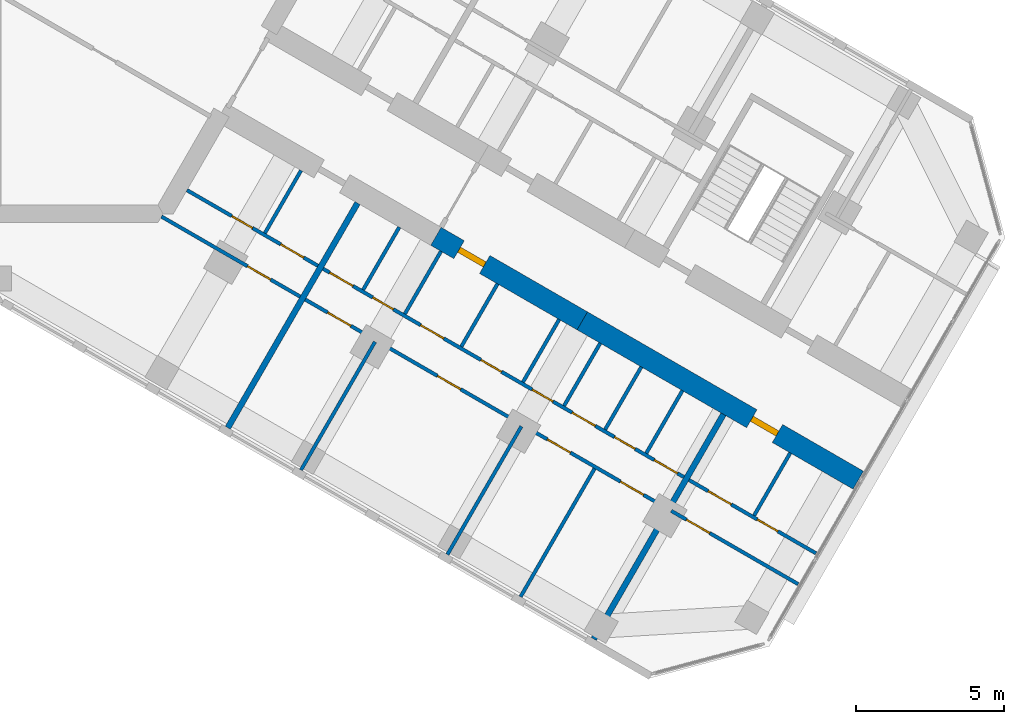
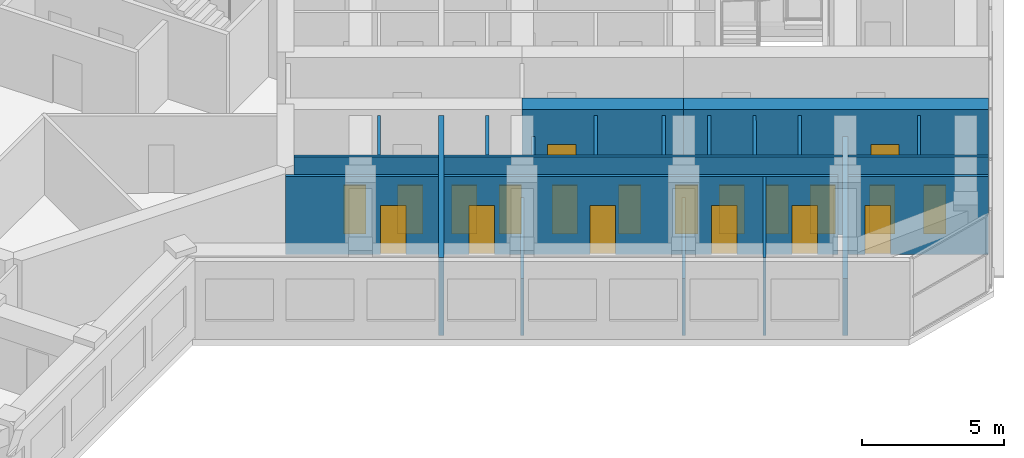
# One storey, part 11 of 16: 22 walls, 20 doors, 20 openings.
"""IFC4 building model written with IfcOpenShell, lengths in metres."""

from ifc_helpers import new_model, si_unit, direction, frame, frame_2d, origin, place, context, subcontext, project, spatial, rectangle, extrude, material, layer, layer_set, type_object, element, fill, save


model = new_model("IFC4")

# Units and contexts
model_context = context("Model", 3, precision=1e-05, world=origin(), true_north=direction((0.0, 1.0)))
body_context = subcontext(model_context, "Body", "Model", "MODEL_VIEW")
ifc_project = project(units=[si_unit("LENGTHUNIT", "METRE"), si_unit("AREAUNIT", "SQUARE_METRE"), si_unit("VOLUMEUNIT", "CUBIC_METRE"), si_unit("PLANEANGLEUNIT", "RADIAN"), si_unit("MASSUNIT", "GRAM", prefix="KILO")], contexts=[model_context])

# Site, building, storey
site_placement = place(None, origin())
site = spatial("IfcSite", under=ifc_project, at=site_placement, CompositionType="ELEMENT")
building_placement = place(site_placement, origin())
building = spatial("IfcBuilding", under=site, at=building_placement, Name="Kosmar Iwan School Tower", CompositionType="ELEMENT")
storey_placement = place(building_placement, frame((0.0, 0.0, 246.0)))
storey = spatial("IfcBuildingStorey", under=building, at=storey_placement, Name="L62", CompositionType="ELEMENT", Elevation=246.0)

# Wall, opening, door
ifc_material_1 = material(Name="Concrete C50/60", Category="concrete")
ifc_layer_1 = layer(ifc_material_1, 0.699951171875)
ifc_layer_set_1 = layer_set([ifc_layer_1], Name="Corridor buttress wall 700")
wall_type_1 = type_object("IfcWallType", Name="Corridor buttress wall 700", PredefinedType="SHEAR", material=ifc_layer_set_1)
wall_1_placement = place(storey_placement, frame((14.7451171875, -10.360595703125, 0.0), z_axis=(0.0, 0.0, 1.0), x_axis=(0.866015111908, -0.50001782563, 0.0)))
wall_1 = element("IfcWall", 1, at=wall_1_placement, inside=storey, type_object=wall_type_1, Name="Corridor wall CR bay 2", PredefinedType="SHEAR", context=body_context, shape_type="SweptSolid", body=[
    extrude(rectangle(XDim=5.699951171875, YDim=0.699951171875, at=frame_2d((2.85009765625, 0.0))), origin(), (0.0, 0.0, 1.0), 3.60009765625),
])
opening_1_placement = place(wall_1_placement, frame((0.89990234375, 0.0, 0.0)))
opening_1 = element("IfcOpeningElement", 2, at=opening_1_placement, cuts=wall_1, Name="Opening D1", PredefinedType="OPENING", context=body_context, shape_type="SweptSolid", body=[
    extrude(rectangle(XDim=1.0, YDim=2.10009765625, at=frame_2d((0.5, 1.050048828125))), frame((0.0, 0.362060546875, 0.0), z_axis=(0.0, -1.0, 0.0), x_axis=(1.0, 0.0, 0.0)), (0.0, 0.0, 1.0), 0.723876953125),
])
ifc_material_2 = material(Name="Timber fire door in steel frame", Category="steel")
door_type_1 = type_object("IfcDoorType", Name="Flat entrance door 1000x2100", OperationType="SINGLE_SWING_LEFT", PredefinedType="DOOR", material=ifc_material_2)
door_1_placement = place(opening_1_placement, origin())
door_1 = element("IfcDoor", 3, at=door_1_placement, inside=storey, type_object=door_type_1, Name="Flat L62-CR2 entrance door", OperationType="SINGLE_SWING_LEFT", OverallHeight=2.10009765625, OverallWidth=1.0, PredefinedType="DOOR", context=body_context, shape_type="SweptSolid", body=[
    extrude(rectangle(XDim=1.0, YDim=2.10009765625, at=frame_2d((0.5, 1.050048828125))), frame((0.0, 0.10009765625, 0.0), z_axis=(0.0, -1.0, 0.0), x_axis=(1.0, 0.0, 0.0)), (0.0, 0.0, 1.0), 0.199951171875),
])
fill(opening_1, door_1)

wall_2_placement = place(storey_placement, frame((19.681396484375, -13.210693359375, 0.0), z_axis=(0.0, 0.0, 1.0), x_axis=(0.866028186671, -0.499995179869, 0.0)))
wall_2 = element("IfcWall", 4, at=wall_2_placement, inside=storey, type_object=wall_type_1, Name="Corridor wall CR bay 3", PredefinedType="SHEAR", context=body_context, shape_type="SweptSolid", body=[
    extrude(rectangle(XDim=10.7451171875, YDim=0.699951171875, at=frame_2d((5.37255859375, 0.0))), origin(), (0.0, 0.0, 1.0), 3.60009765625),
])
opening_2_placement = place(wall_2_placement, frame((6.60009765625, 0.0, 0.0)))
opening_2 = element("IfcOpeningElement", 5, at=opening_2_placement, cuts=wall_2, Name="Opening D1", PredefinedType="OPENING", context=body_context, shape_type="SweptSolid", body=[
    extrude(rectangle(XDim=1.0, YDim=2.10009765625, at=frame_2d((0.5, 1.050048828125))), frame((0.0, 0.362060546875, 0.0), z_axis=(0.0, -1.0, 0.0), x_axis=(1.0, 0.0, 0.0)), (0.0, 0.0, 1.0), 0.723876953125),
])
door_2_placement = place(opening_2_placement, origin())
door_2 = element("IfcDoor", 6, at=door_2_placement, inside=storey, type_object=door_type_1, Name="Flat L62-CR3 entrance door", OperationType="SINGLE_SWING_RIGHT", OverallHeight=2.10009765625, OverallWidth=1.0, PredefinedType="DOOR", context=body_context, shape_type="SweptSolid", body=[
    extrude(rectangle(XDim=1.0, YDim=2.10009765625, at=frame_2d((0.5, 1.050048828125))), frame((0.0, 0.10009765625, 0.0), z_axis=(0.0, -1.0, 0.0), x_axis=(1.0, 0.0, 0.0)), (0.0, 0.0, 1.0), 0.199951171875),
])
fill(opening_2, door_2)

# Wall, openings, doors
ifc_material_3 = material(Name="Gypsum board on steel studs", Category="steel")
ifc_layer_2 = layer(ifc_material_3, 0.1201171875)
ifc_layer_set_2 = layer_set([ifc_layer_2], Name="Dwelling partition 120")
wall_type_2 = type_object("IfcWallType", Name="Dwelling partition 120", PredefinedType="PARTITIONING", material=ifc_layer_set_2)
wall_3_placement = place(storey_placement, frame((6.3486328125, -8.8037109375, 0.0), z_axis=(0.0, 0.0, 1.0), x_axis=(0.86602216432, -0.500005610874, 0.0)))
wall_3 = element("IfcWall", 7, at=wall_3_placement, inside=storey, type_object=wall_type_2, Name="Partition L62-CR1-W1", PredefinedType="PARTITIONING", context=body_context, shape_type="SweptSolid", body=[
    extrude(rectangle(XDim=5.10009765625, YDim=0.1201171875, at=frame_2d((2.550048828125, 0.0))), origin(), (0.0, 0.0, 1.0), 3.35009765625),
])
opening_3_placement = place(wall_3_placement, frame((1.75, 0.0, 0.0)))
opening_3 = element("IfcOpeningElement", 8, at=opening_3_placement, cuts=wall_3, Name="Opening D3", PredefinedType="OPENING", context=body_context, shape_type="SweptSolid", body=[
    extrude(rectangle(XDim=0.800048828125, YDim=2.10009765625, at=frame_2d((0.39990234375, 1.050048828125))), frame((0.0, 0.072021484375, 0.0), z_axis=(0.0, -1.0, 0.0), x_axis=(1.0, 0.0, 0.0)), (0.0, 0.0, 1.0), 0.14404296875),
])
opening_4_placement = place(wall_3_placement, frame((3.64990234375, 0.0, 0.0)))
opening_4 = element("IfcOpeningElement", 9, at=opening_4_placement, cuts=wall_3, Name="Opening D2", PredefinedType="OPENING", context=body_context, shape_type="SweptSolid", body=[
    extrude(rectangle(XDim=0.89990234375, YDim=2.10009765625, at=frame_2d((0.449951171875, 1.050048828125))), frame((0.0, 0.072021484375, 0.0), z_axis=(0.0, -1.0, 0.0), x_axis=(1.0, 0.0, 0.0)), (0.0, 0.0, 1.0), 0.14404296875),
])
ifc_material_4 = material(Name="Timber door in timber frame", Category="wood")
door_type_2 = type_object("IfcDoorType", Name="Internal door 900x2100", OperationType="SINGLE_SWING_LEFT", PredefinedType="DOOR", material=ifc_material_4)
door_3_placement = place(opening_4_placement, origin())
door_3 = element("IfcDoor", 10, at=door_3_placement, inside=storey, type_object=door_type_2, Name="Entrance hall door L62-CR1-S2", OperationType="SINGLE_SWING_RIGHT", OverallHeight=2.10009765625, OverallWidth=0.89990234375, PredefinedType="DOOR", context=body_context, shape_type="SweptSolid", body=[
    extrude(rectangle(XDim=0.89990234375, YDim=2.10009765625, at=frame_2d((0.449951171875, 1.050048828125))), frame((0.0, 0.02490234375, 0.0), z_axis=(0.0, -1.0, 0.0), x_axis=(1.0, 0.0, 0.0)), (0.0, 0.0, 1.0), 0.050048828125),
])
fill(opening_4, door_3)
ifc_material_5 = material(Name="Timber door in timber frame", Category="wood")
door_type_3 = type_object("IfcDoorType", Name="Sanitary room door 800x2100", OperationType="SINGLE_SWING_LEFT", PredefinedType="DOOR", material=ifc_material_5)
door_4_placement = place(opening_3_placement, origin())
door_4 = element("IfcDoor", 11, at=door_4_placement, inside=storey, type_object=door_type_3, Name="Bathroom door L62-CR1-S1", OperationType="SINGLE_SWING_RIGHT", OverallHeight=2.10009765625, OverallWidth=0.800048828125, PredefinedType="DOOR", context=body_context, shape_type="SweptSolid", body=[
    extrude(rectangle(XDim=0.800048828125, YDim=2.10009765625, at=frame_2d((0.39990234375, 1.050048828125))), frame((0.0, 0.02490234375, 0.0), z_axis=(0.0, -1.0, 0.0), x_axis=(1.0, 0.0, 0.0)), (0.0, 0.0, 1.0), 0.050048828125),
])
fill(opening_3, door_4)

# Wall, opening, door
wall_4_placement = place(storey_placement, frame((5.48876953125, -9.693115234375, 0.0), z_axis=(0.0, 0.0, 1.0), x_axis=(0.866028230842, -0.499995103361, 0.0)))
wall_4 = element("IfcWall", 12, at=wall_4_placement, inside=storey, type_object=wall_type_2, Name="Partition L62-CR1-W2", PredefinedType="PARTITIONING", context=body_context, shape_type="SweptSolid", body=[
    extrude(rectangle(XDim=5.39990234375, YDim=0.1201171875, at=frame_2d((2.699951171875, 0.0))), origin(), (0.0, 0.0, 1.0), 3.35009765625),
])
opening_5_placement = place(wall_4_placement, frame((3.35009765625, 0.0, 0.0)))
opening_5 = element("IfcOpeningElement", 13, at=opening_5_placement, cuts=wall_4, Name="Opening D2", PredefinedType="OPENING", context=body_context, shape_type="SweptSolid", body=[
    extrude(rectangle(XDim=0.89990234375, YDim=2.10009765625, at=frame_2d((0.449951171875, 1.050048828125))), frame((0.0, 0.072021484375, 0.0), z_axis=(0.0, -1.0, 0.0), x_axis=(1.0, 0.0, 0.0)), (0.0, 0.0, 1.0), 0.14404296875),
])
door_5_placement = place(opening_5_placement, origin())
door_5 = element("IfcDoor", 14, at=door_5_placement, inside=storey, type_object=door_type_2, Name="Studio living room and kitchen door L62-CR1-F1", OperationType="SINGLE_SWING_RIGHT", OverallHeight=2.10009765625, OverallWidth=0.89990234375, PredefinedType="DOOR", context=body_context, shape_type="SweptSolid", body=[
    extrude(rectangle(XDim=0.89990234375, YDim=2.10009765625, at=frame_2d((0.449951171875, 1.050048828125))), frame((0.0, 0.02490234375, 0.0), z_axis=(0.0, -1.0, 0.0), x_axis=(1.0, 0.0, 0.0)), (0.0, 0.0, 1.0), 0.050048828125),
])
fill(opening_5, door_5)

# Wall
wall_5_placement = place(storey_placement, frame((10.19677734375, -8.138671875, 0.0), z_axis=(0.0, 0.0, 1.0), x_axis=(-0.499959183527, -0.866048967903, 0.0)))
element("IfcWall", 15, at=wall_5_placement, inside=storey, type_object=wall_type_2, Name="Partition L62-CR1-Y1", PredefinedType="PARTITIONING", context=body_context, shape_type="SweptSolid", body=[
    extrude(rectangle(XDim=2.440185546875, YDim=0.1201171875, at=frame_2d((1.22021484375, 0.0))), origin(), (0.0, 0.0, 1.0), 3.35009765625),
])

# Wall, openings, doors
wall_6_placement = place(storey_placement, frame((10.9384765625, -11.453857421875, 0.0), z_axis=(0.0, 0.0, 1.0), x_axis=(0.86602961784, -0.499992700971, 0.0)))
wall_6 = element("IfcWall", 16, at=wall_6_placement, inside=storey, type_object=wall_type_2, Name="Partition L62-CR2-W1", PredefinedType="PARTITIONING", context=body_context, shape_type="SweptSolid", body=[
    extrude(rectangle(XDim=14.050048828125, YDim=0.1201171875, at=frame_2d((7.02490234375, 0.0))), origin(), (0.0, 0.0, 1.0), 3.35009765625),
])
opening_6_placement = place(wall_6_placement, frame((0.262451171875, 0.0, 0.0)))
opening_6 = element("IfcOpeningElement", 17, at=opening_6_placement, cuts=wall_6, Name="Opening D2", PredefinedType="OPENING", context=body_context, shape_type="SweptSolid", body=[
    extrude(rectangle(XDim=0.89990234375, YDim=2.10009765625, at=frame_2d((0.449951171875, 1.050048828125))), frame((0.0, 0.072021484375, 0.0), z_axis=(0.0, -1.0, 0.0), x_axis=(1.0, 0.0, 0.0)), (0.0, 0.0, 1.0), 0.14404296875),
])
opening_7_placement = place(wall_6_placement, frame((1.9375, 0.0, 0.0)))
opening_7 = element("IfcOpeningElement", 18, at=opening_7_placement, cuts=wall_6, Name="Opening D3", PredefinedType="OPENING", context=body_context, shape_type="SweptSolid", body=[
    extrude(rectangle(XDim=0.800048828125, YDim=2.10009765625, at=frame_2d((0.39990234375, 1.050048828125))), frame((0.0, 0.072021484375, 0.0), z_axis=(0.0, -1.0, 0.0), x_axis=(1.0, 0.0, 0.0)), (0.0, 0.0, 1.0), 0.14404296875),
])
opening_8_placement = place(wall_6_placement, frame((3.800048828125, 0.0, 0.0)))
opening_8 = element("IfcOpeningElement", 19, at=opening_8_placement, cuts=wall_6, Name="Opening D2", PredefinedType="OPENING", context=body_context, shape_type="SweptSolid", body=[
    extrude(rectangle(XDim=0.89990234375, YDim=2.10009765625, at=frame_2d((0.449951171875, 1.050048828125))), frame((0.0, 0.072021484375, 0.0), z_axis=(0.0, -1.0, 0.0), x_axis=(1.0, 0.0, 0.0)), (0.0, 0.0, 1.0), 0.14404296875),
])
opening_9_placement = place(wall_6_placement, frame((6.14990234375, 0.0, 0.0)))
opening_9 = element("IfcOpeningElement", 20, at=opening_9_placement, cuts=wall_6, Name="Opening D3", PredefinedType="OPENING", context=body_context, shape_type="SweptSolid", body=[
    extrude(rectangle(XDim=0.800048828125, YDim=2.10009765625, at=frame_2d((0.39990234375, 1.050048828125))), frame((0.0, 0.072021484375, 0.0), z_axis=(0.0, -1.0, 0.0), x_axis=(1.0, 0.0, 0.0)), (0.0, 0.0, 1.0), 0.14404296875),
])
opening_10_placement = place(wall_6_placement, frame((8.14990234375, 0.0, 0.0)))
opening_10 = element("IfcOpeningElement", 21, at=opening_10_placement, cuts=wall_6, Name="Opening D3", PredefinedType="OPENING", context=body_context, shape_type="SweptSolid", body=[
    extrude(rectangle(XDim=0.800048828125, YDim=2.10009765625, at=frame_2d((0.39990234375, 1.050048828125))), frame((0.0, 0.072021484375, 0.0), z_axis=(0.0, -1.0, 0.0), x_axis=(1.0, 0.0, 0.0)), (0.0, 0.0, 1.0), 0.14404296875),
])
opening_11_placement = place(wall_6_placement, frame((9.699951171875, 0.0, 0.0)))
opening_11 = element("IfcOpeningElement", 22, at=opening_11_placement, cuts=wall_6, Name="Opening D2", PredefinedType="OPENING", context=body_context, shape_type="SweptSolid", body=[
    extrude(rectangle(XDim=0.89990234375, YDim=2.10009765625, at=frame_2d((0.449951171875, 1.050048828125))), frame((0.0, 0.072021484375, 0.0), z_axis=(0.0, -1.0, 0.0), x_axis=(1.0, 0.0, 0.0)), (0.0, 0.0, 1.0), 0.14404296875),
])
opening_12_placement = place(wall_6_placement, frame((11.35009765625, 0.0, 0.0)))
opening_12 = element("IfcOpeningElement", 23, at=opening_12_placement, cuts=wall_6, Name="Opening D3", PredefinedType="OPENING", context=body_context, shape_type="SweptSolid", body=[
    extrude(rectangle(XDim=0.800048828125, YDim=2.10009765625, at=frame_2d((0.39990234375, 1.050048828125))), frame((0.0, 0.072021484375, 0.0), z_axis=(0.0, -1.0, 0.0), x_axis=(1.0, 0.0, 0.0)), (0.0, 0.0, 1.0), 0.14404296875),
])
opening_13_placement = place(wall_6_placement, frame((12.89990234375, 0.0, 0.0)))
opening_13 = element("IfcOpeningElement", 24, at=opening_13_placement, cuts=wall_6, Name="Opening D2", PredefinedType="OPENING", context=body_context, shape_type="SweptSolid", body=[
    extrude(rectangle(XDim=0.89990234375, YDim=2.10009765625, at=frame_2d((0.449951171875, 1.050048828125))), frame((0.0, 0.072021484375, 0.0), z_axis=(0.0, -1.0, 0.0), x_axis=(1.0, 0.0, 0.0)), (0.0, 0.0, 1.0), 0.14404296875),
])
door_6_placement = place(opening_6_placement, origin())
door_6 = element("IfcDoor", 25, at=door_6_placement, inside=storey, type_object=door_type_2, Name="Utility room door L62-CR2-S1", OperationType="SINGLE_SWING_RIGHT", OverallHeight=2.10009765625, OverallWidth=0.89990234375, PredefinedType="DOOR", context=body_context, shape_type="SweptSolid", body=[
    extrude(rectangle(XDim=0.89990234375, YDim=2.10009765625, at=frame_2d((0.449951171875, 1.050048828125))), frame((0.0, 0.02490234375, 0.0), z_axis=(0.0, -1.0, 0.0), x_axis=(1.0, 0.0, 0.0)), (0.0, 0.0, 1.0), 0.050048828125),
])
fill(opening_6, door_6)
door_7_placement = place(opening_8_placement, origin())
door_7 = element("IfcDoor", 26, at=door_7_placement, inside=storey, type_object=door_type_2, Name="Entrance hall door L62-CR2-S3", OperationType="SINGLE_SWING_RIGHT", OverallHeight=2.10009765625, OverallWidth=0.89990234375, PredefinedType="DOOR", context=body_context, shape_type="SweptSolid", body=[
    extrude(rectangle(XDim=0.89990234375, YDim=2.10009765625, at=frame_2d((0.449951171875, 1.050048828125))), frame((0.0, 0.02490234375, 0.0), z_axis=(0.0, -1.0, 0.0), x_axis=(1.0, 0.0, 0.0)), (0.0, 0.0, 1.0), 0.050048828125),
])
fill(opening_8, door_7)
door_8_placement = place(opening_11_placement, origin())
door_8 = element("IfcDoor", 27, at=door_8_placement, inside=storey, type_object=door_type_2, Name="Pantry door L62-CR2-S6", OperationType="SINGLE_SWING_LEFT", OverallHeight=2.10009765625, OverallWidth=0.89990234375, PredefinedType="DOOR", context=body_context, shape_type="SweptSolid", body=[
    extrude(rectangle(XDim=0.89990234375, YDim=2.10009765625, at=frame_2d((0.449951171875, 1.050048828125))), frame((0.0, 0.02490234375, 0.0), z_axis=(0.0, -1.0, 0.0), x_axis=(1.0, 0.0, 0.0)), (0.0, 0.0, 1.0), 0.050048828125),
])
fill(opening_11, door_8)
door_9_placement = place(opening_13_placement, origin())
door_9 = element("IfcDoor", 28, at=door_9_placement, inside=storey, type_object=door_type_2, Name="Dressing room door L62-CR2-S8", OperationType="SINGLE_SWING_RIGHT", OverallHeight=2.10009765625, OverallWidth=0.89990234375, PredefinedType="DOOR", context=body_context, shape_type="SweptSolid", body=[
    extrude(rectangle(XDim=0.89990234375, YDim=2.10009765625, at=frame_2d((0.449951171875, 1.050048828125))), frame((0.0, 0.02490234375, 0.0), z_axis=(0.0, -1.0, 0.0), x_axis=(1.0, 0.0, 0.0)), (0.0, 0.0, 1.0), 0.050048828125),
])
fill(opening_13, door_9)
door_10_placement = place(opening_7_placement, origin())
door_10 = element("IfcDoor", 29, at=door_10_placement, inside=storey, type_object=door_type_3, Name="WC door L62-CR2-S2", OperationType="SINGLE_SWING_LEFT", OverallHeight=2.10009765625, OverallWidth=0.800048828125, PredefinedType="DOOR", context=body_context, shape_type="SweptSolid", body=[
    extrude(rectangle(XDim=0.800048828125, YDim=2.10009765625, at=frame_2d((0.39990234375, 1.050048828125))), frame((0.0, 0.02490234375, 0.0), z_axis=(0.0, -1.0, 0.0), x_axis=(1.0, 0.0, 0.0)), (0.0, 0.0, 1.0), 0.050048828125),
])
fill(opening_7, door_10)
door_11_placement = place(opening_9_placement, origin())
door_11 = element("IfcDoor", 30, at=door_11_placement, inside=storey, type_object=door_type_3, Name="Bathroom door L62-CR2-S4", OperationType="SINGLE_SWING_LEFT", OverallHeight=2.10009765625, OverallWidth=0.800048828125, PredefinedType="DOOR", context=body_context, shape_type="SweptSolid", body=[
    extrude(rectangle(XDim=0.800048828125, YDim=2.10009765625, at=frame_2d((0.39990234375, 1.050048828125))), frame((0.0, 0.02490234375, 0.0), z_axis=(0.0, -1.0, 0.0), x_axis=(1.0, 0.0, 0.0)), (0.0, 0.0, 1.0), 0.050048828125),
])
fill(opening_9, door_11)
door_12_placement = place(opening_10_placement, origin())
door_12 = element("IfcDoor", 31, at=door_12_placement, inside=storey, type_object=door_type_3, Name="Shower room door L62-CR2-S5", OperationType="SINGLE_SWING_RIGHT", OverallHeight=2.10009765625, OverallWidth=0.800048828125, PredefinedType="DOOR", context=body_context, shape_type="SweptSolid", body=[
    extrude(rectangle(XDim=0.800048828125, YDim=2.10009765625, at=frame_2d((0.39990234375, 1.050048828125))), frame((0.0, 0.02490234375, 0.0), z_axis=(0.0, -1.0, 0.0), x_axis=(1.0, 0.0, 0.0)), (0.0, 0.0, 1.0), 0.050048828125),
])
fill(opening_10, door_12)
door_13_placement = place(opening_12_placement, origin())
door_13 = element("IfcDoor", 32, at=door_13_placement, inside=storey, type_object=door_type_3, Name="Store door L62-CR2-S7", OperationType="SINGLE_SWING_RIGHT", OverallHeight=2.10009765625, OverallWidth=0.800048828125, PredefinedType="DOOR", context=body_context, shape_type="SweptSolid", body=[
    extrude(rectangle(XDim=0.800048828125, YDim=2.10009765625, at=frame_2d((0.39990234375, 1.050048828125))), frame((0.0, 0.02490234375, 0.0), z_axis=(0.0, -1.0, 0.0), x_axis=(1.0, 0.0, 0.0)), (0.0, 0.0, 1.0), 0.050048828125),
])
fill(opening_12, door_13)

wall_7_placement = place(storey_placement, frame((10.338623046875, -12.492919921875, 0.0), z_axis=(0.0, 0.0, 1.0), x_axis=(0.866016523273, -0.500015381182, 0.0)))
wall_7 = element("IfcWall", 33, at=wall_7_placement, inside=storey, type_object=wall_type_2, Name="Partition L62-CR2-W2", PredefinedType="PARTITIONING", context=body_context, shape_type="SweptSolid", body=[
    extrude(rectangle(XDim=13.89990234375, YDim=0.1201171875, at=frame_2d((6.949951171875, 0.0))), origin(), (0.0, 0.0, 1.0), 3.35009765625),
])
opening_14_placement = place(wall_7_placement, frame((0.875, 0.0, 0.0)))
opening_14 = element("IfcOpeningElement", 34, at=opening_14_placement, cuts=wall_7, Name="Opening D2", PredefinedType="OPENING", context=body_context, shape_type="SweptSolid", body=[
    extrude(rectangle(XDim=0.89990234375, YDim=2.10009765625, at=frame_2d((0.449951171875, 1.050048828125))), frame((0.0, 0.072021484375, 0.0), z_axis=(0.0, -1.0, 0.0), x_axis=(1.0, 0.0, 0.0)), (0.0, 0.0, 1.0), 0.14404296875),
])
opening_15_placement = place(wall_7_placement, frame((5.14990234375, 0.0, 0.0)))
opening_15 = element("IfcOpeningElement", 35, at=opening_15_placement, cuts=wall_7, Name="Opening D2", PredefinedType="OPENING", context=body_context, shape_type="SweptSolid", body=[
    extrude(rectangle(XDim=0.89990234375, YDim=2.10009765625, at=frame_2d((0.449951171875, 1.050048828125))), frame((0.0, 0.072021484375, 0.0), z_axis=(0.0, -1.0, 0.0), x_axis=(1.0, 0.0, 0.0)), (0.0, 0.0, 1.0), 0.14404296875),
])
opening_16_placement = place(wall_7_placement, frame((9.425048828125, 0.0, 0.0)))
opening_16 = element("IfcOpeningElement", 36, at=opening_16_placement, cuts=wall_7, Name="Opening D2", PredefinedType="OPENING", context=body_context, shape_type="SweptSolid", body=[
    extrude(rectangle(XDim=0.89990234375, YDim=2.10009765625, at=frame_2d((0.449951171875, 1.050048828125))), frame((0.0, 0.072021484375, 0.0), z_axis=(0.0, -1.0, 0.0), x_axis=(1.0, 0.0, 0.0)), (0.0, 0.0, 1.0), 0.14404296875),
])
opening_17_placement = place(wall_7_placement, frame((12.27490234375, 0.0, 0.0)))
opening_17 = element("IfcOpeningElement", 37, at=opening_17_placement, cuts=wall_7, Name="Opening D2", PredefinedType="OPENING", context=body_context, shape_type="SweptSolid", body=[
    extrude(rectangle(XDim=0.89990234375, YDim=2.10009765625, at=frame_2d((0.449951171875, 1.050048828125))), frame((0.0, 0.072021484375, 0.0), z_axis=(0.0, -1.0, 0.0), x_axis=(1.0, 0.0, 0.0)), (0.0, 0.0, 1.0), 0.14404296875),
])
door_14_placement = place(opening_14_placement, origin())
door_14 = element("IfcDoor", 38, at=door_14_placement, inside=storey, type_object=door_type_2, Name="Bedroom 1 door L62-CR2-F1", OperationType="SINGLE_SWING_LEFT", OverallHeight=2.10009765625, OverallWidth=0.89990234375, PredefinedType="DOOR", context=body_context, shape_type="SweptSolid", body=[
    extrude(rectangle(XDim=0.89990234375, YDim=2.10009765625, at=frame_2d((0.449951171875, 1.050048828125))), frame((0.0, 0.02490234375, 0.0), z_axis=(0.0, -1.0, 0.0), x_axis=(1.0, 0.0, 0.0)), (0.0, 0.0, 1.0), 0.050048828125),
])
fill(opening_14, door_14)
door_15_placement = place(opening_15_placement, origin())
door_15 = element("IfcDoor", 39, at=door_15_placement, inside=storey, type_object=door_type_2, Name="Living room and kitchen door L62-CR2-F2", OperationType="SINGLE_SWING_LEFT", OverallHeight=2.10009765625, OverallWidth=0.89990234375, PredefinedType="DOOR", context=body_context, shape_type="SweptSolid", body=[
    extrude(rectangle(XDim=0.89990234375, YDim=2.10009765625, at=frame_2d((0.449951171875, 1.050048828125))), frame((0.0, 0.02490234375, 0.0), z_axis=(0.0, -1.0, 0.0), x_axis=(1.0, 0.0, 0.0)), (0.0, 0.0, 1.0), 0.050048828125),
])
fill(opening_15, door_15)
door_16_placement = place(opening_16_placement, origin())
door_16 = element("IfcDoor", 40, at=door_16_placement, inside=storey, type_object=door_type_2, Name="Bedroom 3 door L62-CR2-F3", OperationType="SINGLE_SWING_RIGHT", OverallHeight=2.10009765625, OverallWidth=0.89990234375, PredefinedType="DOOR", context=body_context, shape_type="SweptSolid", body=[
    extrude(rectangle(XDim=0.89990234375, YDim=2.10009765625, at=frame_2d((0.449951171875, 1.050048828125))), frame((0.0, 0.02490234375, 0.0), z_axis=(0.0, -1.0, 0.0), x_axis=(1.0, 0.0, 0.0)), (0.0, 0.0, 1.0), 0.050048828125),
])
fill(opening_16, door_16)
door_17_placement = place(opening_17_placement, origin())
door_17 = element("IfcDoor", 41, at=door_17_placement, inside=storey, type_object=door_type_2, Name="Bedroom 2 door L62-CR2-F4", OperationType="SINGLE_SWING_RIGHT", OverallHeight=2.10009765625, OverallWidth=0.89990234375, PredefinedType="DOOR", context=body_context, shape_type="SweptSolid", body=[
    extrude(rectangle(XDim=0.89990234375, YDim=2.10009765625, at=frame_2d((0.449951171875, 1.050048828125))), frame((0.0, 0.02490234375, 0.0), z_axis=(0.0, -1.0, 0.0), x_axis=(1.0, 0.0, 0.0)), (0.0, 0.0, 1.0), 0.050048828125),
])
fill(opening_17, door_17)

# Walls
wall_8_placement = place(storey_placement, frame((12.690185546875, -13.919921875, 0.0), z_axis=(0.0, 0.0, 1.0), x_axis=(-0.500011847778, -0.866018563358, 0.0)))
element("IfcWall", 42, at=wall_8_placement, inside=storey, type_object=wall_type_2, Name="Partition L62-CR2-X1", PredefinedType="PARTITIONING", context=body_context, shape_type="SweptSolid", body=[
    extrude(rectangle(XDim=4.990234375, YDim=0.1201171875, at=frame_2d((2.4951171875, 0.0))), origin(), (0.0, 0.0, 1.0), 2.449951171875),
])
wall_9_placement = place(storey_placement, frame((17.62646484375, -16.77001953125, 0.0), z_axis=(0.0, 0.0, 1.0), x_axis=(-0.499975153383, -0.86603974851, 0.0)))
element("IfcWall", 43, at=wall_9_placement, inside=storey, type_object=wall_type_2, Name="Partition L62-CR2-X2", PredefinedType="PARTITIONING", context=body_context, shape_type="SweptSolid", body=[
    extrude(rectangle(XDim=4.989990234375, YDim=0.1201171875, at=frame_2d((2.4951171875, 0.0))), origin(), (0.0, 0.0, 1.0), 2.449951171875),
])
wall_10_placement = place(storey_placement, frame((20.0947265625, -18.195068359375, 0.0), z_axis=(0.0, 0.0, 1.0), x_axis=(-0.500011847778, -0.866018563358, 0.0)))
element("IfcWall", 44, at=wall_10_placement, inside=storey, type_object=wall_type_2, Name="Partition L62-CR2-X3", PredefinedType="PARTITIONING", context=body_context, shape_type="SweptSolid", body=[
    extrude(rectangle(XDim=4.990234375, YDim=0.1201171875, at=frame_2d((2.4951171875, 0.0))), origin(), (0.0, 0.0, 1.0), 3.35009765625),
])
wall_11_placement = place(storey_placement, frame((13.50927734375, -10.05126953125, 0.0), z_axis=(0.0, 0.0, 1.0), x_axis=(-0.500002508028, -0.866023955769, 0.0)))
element("IfcWall", 45, at=wall_11_placement, inside=storey, type_object=wall_type_2, Name="Partition L62-CR2-Y1", PredefinedType="PARTITIONING", context=body_context, shape_type="SweptSolid", body=[
    extrude(rectangle(XDim=2.43994140625, YDim=0.1201171875, at=frame_2d((1.219970703125, 0.0))), origin(), (0.0, 0.0, 1.0), 3.35009765625),
])
wall_12_placement = place(storey_placement, frame((14.91650390625, -10.86376953125, 0.0), z_axis=(0.0, 0.0, 1.0), x_axis=(-0.500002508028, -0.866023955769, 0.0)))
element("IfcWall", 46, at=wall_12_placement, inside=storey, type_object=wall_type_2, Name="Partition L62-CR2-Y2", PredefinedType="PARTITIONING", context=body_context, shape_type="SweptSolid", body=[
    extrude(rectangle(XDim=2.43994140625, YDim=0.1201171875, at=frame_2d((1.219970703125, 0.0))), origin(), (0.0, 0.0, 1.0), 2.449951171875),
])
wall_13_placement = place(storey_placement, frame((16.82177734375, -11.963623046875, 0.0), z_axis=(0.0, 0.0, 1.0), x_axis=(-0.499959183527, -0.866048967903, 0.0)))
element("IfcWall", 47, at=wall_13_placement, inside=storey, type_object=wall_type_2, Name="Partition L62-CR2-Y3", PredefinedType="PARTITIONING", context=body_context, shape_type="SweptSolid", body=[
    extrude(rectangle(XDim=2.440185546875, YDim=0.1201171875, at=frame_2d((1.22021484375, 0.0))), origin(), (0.0, 0.0, 1.0), 3.35009765625),
])
wall_14_placement = place(storey_placement, frame((18.900390625, -13.163818359375, 0.0), z_axis=(0.0, 0.0, 1.0), x_axis=(-0.500077547548, -0.865980627057, 0.0)))
element("IfcWall", 48, at=wall_14_placement, inside=storey, type_object=wall_type_2, Name="Partition L62-CR2-Y4", PredefinedType="PARTITIONING", context=body_context, shape_type="SweptSolid", body=[
    extrude(rectangle(XDim=2.43994140625, YDim=0.1201171875, at=frame_2d((1.219970703125, 0.0))), origin(), (0.0, 0.0, 1.0), 3.35009765625),
])
for number, where, z_axis, x_axis, name in (
    (49, (20.285888671875, -13.963623046875, 0.0), (0.0, 0.0, 1.0), (-0.499959183527, -0.866048967903, 0.0), "Partition L62-CR2-Y5"),
    (50, (21.671630859375, -14.763671875, 0.0), (0.0, 0.0, 1.0), (-0.499959183527, -0.866048967903, 0.0), "Partition L62-CR2-Y6"),
):
    element("IfcWall", number, at=place(storey_placement, frame(where, z_axis=z_axis, x_axis=x_axis)), inside=storey, type_object=wall_type_2, Name=name, PredefinedType="PARTITIONING", context=body_context, shape_type="SweptSolid", body=[
        extrude(rectangle(XDim=2.440185546875, YDim=0.1201171875, at=frame_2d((1.22021484375, 0.0))), origin(), (0.0, 0.0, 1.0), 3.35009765625),
    ])
wall_15_placement = place(storey_placement, frame((23.05712890625, -15.563720703125, 0.0), z_axis=(0.0, 0.0, 1.0), x_axis=(-0.500002508028, -0.866023955769, 0.0)))
element("IfcWall", 51, at=wall_15_placement, inside=storey, type_object=wall_type_2, Name="Partition L62-CR2-Y7", PredefinedType="PARTITIONING", context=body_context, shape_type="SweptSolid", body=[
    extrude(rectangle(XDim=2.43994140625, YDim=0.1201171875, at=frame_2d((1.219970703125, 0.0))), origin(), (0.0, 0.0, 1.0), 3.35009765625),
])

# Wall, openings, doors
wall_16_placement = place(storey_placement, frame((23.279541015625, -18.578857421875, 0.0), z_axis=(0.0, 0.0, 1.0), x_axis=(0.866031840221, -0.4999888516, 0.0)))
wall_16 = element("IfcWall", 52, at=wall_16_placement, inside=storey, type_object=wall_type_2, Name="Partition L62-CR3-W1", PredefinedType="PARTITIONING", context=body_context, shape_type="SweptSolid", body=[
    extrude(rectangle(XDim=4.94482421875, YDim=0.1201171875, at=frame_2d((2.472412109375, 0.0))), origin(), (0.0, 0.0, 1.0), 3.35009765625),
])
opening_18_placement = place(wall_16_placement, frame((0.75, 0.0, 0.0)))
opening_18 = element("IfcOpeningElement", 53, at=opening_18_placement, cuts=wall_16, Name="Opening D2", PredefinedType="OPENING", context=body_context, shape_type="SweptSolid", body=[
    extrude(rectangle(XDim=0.89990234375, YDim=2.10009765625, at=frame_2d((0.449951171875, 1.050048828125))), frame((0.0, 0.072021484375, 0.0), z_axis=(0.0, -1.0, 0.0), x_axis=(1.0, 0.0, 0.0)), (0.0, 0.0, 1.0), 0.14404296875),
])
opening_19_placement = place(wall_16_placement, frame((2.659912109375, 0.0, 0.0)))
opening_19 = element("IfcOpeningElement", 54, at=opening_19_placement, cuts=wall_16, Name="Opening D3", PredefinedType="OPENING", context=body_context, shape_type="SweptSolid", body=[
    extrude(rectangle(XDim=0.800048828125, YDim=2.10009765625, at=frame_2d((0.39990234375, 1.050048828125))), frame((0.0, 0.072021484375, 0.0), z_axis=(0.0, -1.0, 0.0), x_axis=(1.0, 0.0, 0.0)), (0.0, 0.0, 1.0), 0.14404296875),
])
door_18_placement = place(opening_18_placement, origin())
door_18 = element("IfcDoor", 55, at=door_18_placement, inside=storey, type_object=door_type_2, Name="Entrance hall door L62-CR3-S1", OperationType="SINGLE_SWING_LEFT", OverallHeight=2.10009765625, OverallWidth=0.89990234375, PredefinedType="DOOR", context=body_context, shape_type="SweptSolid", body=[
    extrude(rectangle(XDim=0.89990234375, YDim=2.10009765625, at=frame_2d((0.449951171875, 1.050048828125))), frame((0.0, 0.02490234375, 0.0), z_axis=(0.0, -1.0, 0.0), x_axis=(1.0, 0.0, 0.0)), (0.0, 0.0, 1.0), 0.050048828125),
])
fill(opening_18, door_18)
door_19_placement = place(opening_19_placement, origin())
door_19 = element("IfcDoor", 56, at=door_19_placement, inside=storey, type_object=door_type_3, Name="Bathroom door L62-CR3-S2", OperationType="SINGLE_SWING_LEFT", OverallHeight=2.10009765625, OverallWidth=0.800048828125, PredefinedType="DOOR", context=body_context, shape_type="SweptSolid", body=[
    extrude(rectangle(XDim=0.800048828125, YDim=2.10009765625, at=frame_2d((0.39990234375, 1.050048828125))), frame((0.0, 0.02490234375, 0.0), z_axis=(0.0, -1.0, 0.0), x_axis=(1.0, 0.0, 0.0)), (0.0, 0.0, 1.0), 0.050048828125),
])
fill(opening_19, door_19)

# Wall, opening, door
wall_17_placement = place(storey_placement, frame((22.679443359375, -19.6181640625, 0.0), z_axis=(0.0, 0.0, 1.0), x_axis=(0.866031840221, -0.4999888516, 0.0)))
wall_17 = element("IfcWall", 57, at=wall_17_placement, inside=storey, type_object=wall_type_2, Name="Partition L62-CR3-W2", PredefinedType="PARTITIONING", context=body_context, shape_type="SweptSolid", body=[
    extrude(rectangle(XDim=4.94482421875, YDim=0.1201171875, at=frame_2d((2.472412109375, 0.0))), origin(), (0.0, 0.0, 1.0), 3.35009765625),
])
opening_20_placement = place(wall_17_placement, frame((0.60009765625, 0.0, 0.0)))
opening_20 = element("IfcOpeningElement", 58, at=opening_20_placement, cuts=wall_17, Name="Opening D2", PredefinedType="OPENING", context=body_context, shape_type="SweptSolid", body=[
    extrude(rectangle(XDim=0.89990234375, YDim=2.10009765625, at=frame_2d((0.449951171875, 1.050048828125))), frame((0.0, 0.072021484375, 0.0), z_axis=(0.0, -1.0, 0.0), x_axis=(1.0, 0.0, 0.0)), (0.0, 0.0, 1.0), 0.14404296875),
])
door_20_placement = place(opening_20_placement, origin())
door_20 = element("IfcDoor", 59, at=door_20_placement, inside=storey, type_object=door_type_2, Name="Studio living room and kitchen door L62-CR3-F1", OperationType="SINGLE_SWING_LEFT", OverallHeight=2.10009765625, OverallWidth=0.89990234375, PredefinedType="DOOR", context=body_context, shape_type="SweptSolid", body=[
    extrude(rectangle(XDim=0.89990234375, YDim=2.10009765625, at=frame_2d((0.449951171875, 1.050048828125))), frame((0.0, 0.02490234375, 0.0), z_axis=(0.0, -1.0, 0.0), x_axis=(1.0, 0.0, 0.0)), (0.0, 0.0, 1.0), 0.050048828125),
])
fill(opening_20, door_20)

# Walls
wall_18_placement = place(storey_placement, frame((26.694580078125, -17.663818359375, 0.0), z_axis=(0.0, 0.0, 1.0), x_axis=(-0.500002508028, -0.866023955769, 0.0)))
element("IfcWall", 60, at=wall_18_placement, inside=storey, type_object=wall_type_2, Name="Partition L62-CR3-Y1", PredefinedType="PARTITIONING", context=body_context, shape_type="SweptSolid", body=[
    extrude(rectangle(XDim=2.43994140625, YDim=0.1201171875, at=frame_2d((1.219970703125, 0.0))), origin(), (0.0, 0.0, 1.0), 3.35009765625),
])
ifc_material_6 = material(Name="Concrete block masonry", Category="masonry")
ifc_layer_3 = layer(ifc_material_6, 0.199951171875)
ifc_layer_set_3 = layer_set([ifc_layer_3], Name="Party wall 200")
wall_type_3 = type_object("IfcWallType", Name="Party wall 200", PredefinedType="PARTITIONING", material=ifc_layer_set_3)
wall_19_placement = place(storey_placement, frame((12.10205078125, -9.23876953125, 0.0), z_axis=(0.0, 0.0, 1.0), x_axis=(-0.500004234368, -0.866022959057, 0.0)))
element("IfcWall", 61, at=wall_19_placement, inside=storey, type_object=wall_type_3, Name="Partition L62-CR2-PW", PredefinedType="PARTITIONING", context=body_context, shape_type="SweptSolid", body=[
    extrude(rectangle(XDim=8.75, YDim=0.199951171875, at=frame_2d((4.375, 0.0))), origin(), (0.0, 0.0, 1.0), 3.35009765625),
])
wall_20_placement = place(storey_placement, frame((24.44287109375, -16.36376953125, 0.0), z_axis=(0.0, 0.0, 1.0), x_axis=(-0.500004234368, -0.866022959057, 0.0)))
element("IfcWall", 62, at=wall_20_placement, inside=storey, type_object=wall_type_3, Name="Partition L62-CR3-PW", PredefinedType="PARTITIONING", context=body_context, shape_type="SweptSolid", body=[
    extrude(rectangle(XDim=8.75, YDim=0.199951171875, at=frame_2d((4.375, 0.0))), origin(), (0.0, 0.0, 1.0), 2.449951171875),
])

save(model, "model.ifc")
